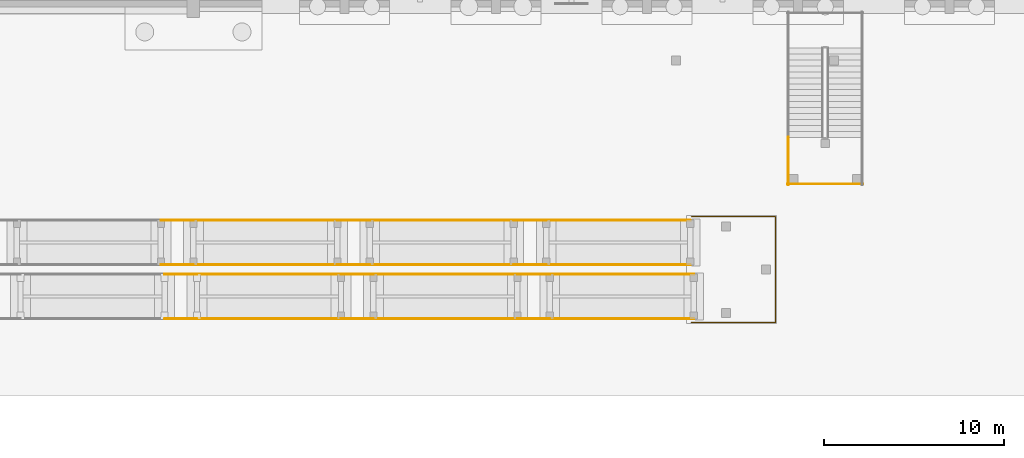
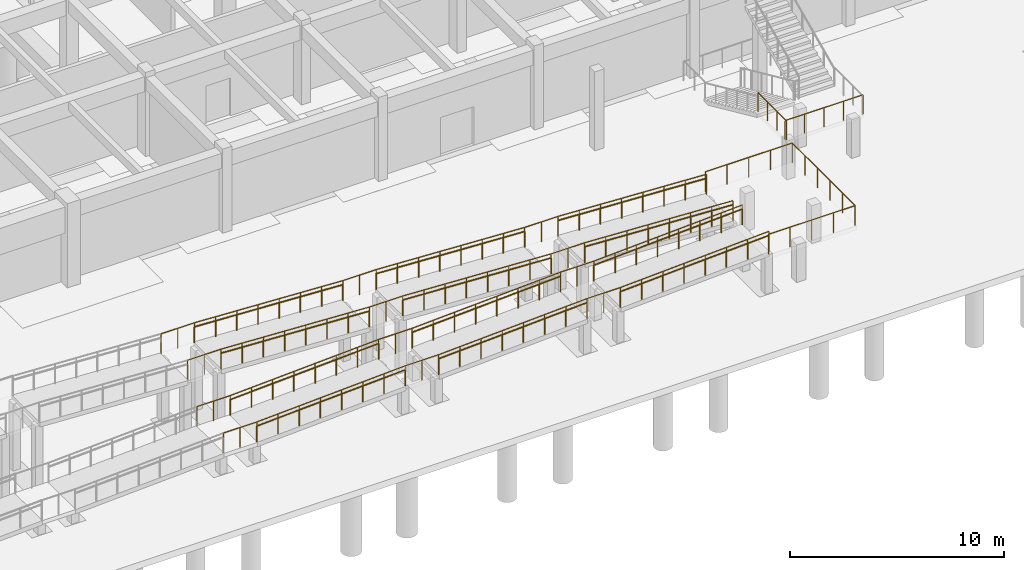
# One storey, part 71 of 80: 39 railings.
"""IFC4 building model written with IfcOpenShell, lengths in metres."""

from ifc_helpers import new_model, si_unit, direction, frame, origin, origin_2d, place, context, subcontext, project, spatial, circle, extrude, material, layer, layer_set, type_object, element, save


model = new_model("IFC4")

# Units and contexts
model_context = context("Model", 3, precision=1e-05, world=origin(), true_north=direction((0.0, 1.0)))
body_context = subcontext(model_context, "Body", "Model", "MODEL_VIEW")
ifc_project = project(units=[si_unit("LENGTHUNIT", "METRE"), si_unit("AREAUNIT", "SQUARE_METRE"), si_unit("VOLUMEUNIT", "CUBIC_METRE"), si_unit("PLANEANGLEUNIT", "RADIAN"), si_unit("MASSUNIT", "GRAM", prefix="KILO")], contexts=[model_context])

# Site, building, storey
site_placement = place(None, origin())
site = spatial("IfcSite", under=ifc_project, at=site_placement, CompositionType="ELEMENT")
building_placement = place(site_placement, origin())
building = spatial("IfcBuilding", under=site, at=building_placement, Name="Malvenik Polytechnic", CompositionType="ELEMENT")
storey_placement = place(building_placement, frame((0.0, 0.0, -4.800048828125)))
storey = spatial("IfcBuildingStorey", under=building, at=storey_placement, Name="B1", CompositionType="ELEMENT", Elevation=-4.800048828125)

# Railings
ifc_material_1 = material(Name="Galvanised powder-coated steel and laminated glass guard 1150mm", Category="steel")
ifc_layer_1 = layer(ifc_material_1, 0.070068359375)
ifc_layer_set_1 = layer_set([ifc_layer_1], Name="Galvanised powder-coated steel and laminated glass guard 1150mm")
railing_type_1 = type_object("IfcRailingType", Name="ARC-RL-BAL-1150", PredefinedType="BALUSTRADE", material=ifc_layer_set_1)
for number, where, name in (
    (1, (65.60009765625, 4.260009765625, 1.199951171875), "Ramp Landing Balustrade RB-04 #3S"),
    (2, (65.60009765625, 6.739990234375, 1.199951171875), "Ramp Landing Balustrade RB-04 #3N"),
):
    element("IfcRailing", number, at=place(storey_placement, frame(where)), inside=storey, type_object=railing_type_1, Name=name, PredefinedType="BALUSTRADE", context=body_context, shape_type="SweptSolid", body=[
        extrude(circle(Radius=0.02392578125, at=origin_2d()), frame((0.0, 0.0, 1.1259765625), z_axis=(1.0, 0.0, 0.0), x_axis=(0.0, 1.0, 0.0)), (0.0, 0.0, 1.0), 1.7998046875),
        extrude(circle(Radius=0.02099609375, at=origin_2d()), origin(), (0.0, 0.0, 1.0), 1.101806640625),
        extrude(circle(Radius=0.02099609375, at=origin_2d()), frame((0.89990234375, 0.0, 0.0)), (0.0, 0.0, 1.0), 1.101806640625),
        extrude(circle(Radius=0.02099609375, at=origin_2d()), frame((1.7998046875, 0.0, 0.0)), (0.0, 0.0, 1.0), 1.101806640625),
    ])
for number, where, name in (
    (3, (67.39990234375, 4.260009765625, 1.199951171875), "Ramp Balustrade RB-04 #4S"),
    (4, (67.39990234375, 6.739990234375, 1.199951171875), "Ramp Balustrade RB-04 #4N"),
):
    element("IfcRailing", number, at=place(storey_placement, frame(where)), inside=storey, type_object=railing_type_1, Name=name, PredefinedType="BALUSTRADE", context=body_context, shape_type="SweptSolid", body=[
        extrude(circle(Radius=0.02392578125, at=origin_2d()), frame((0.0, 0.0, 1.1259765625), z_axis=(0.998751426607, 0.0, 0.049955859015), x_axis=(0.0, 1.0, 0.0)), (0.0, 0.0, 1.0), 8.010009765625),
        extrude(circle(Radius=0.02099609375, at=origin_2d()), origin(), (0.0, 0.0, 1.0), 1.101806640625),
        extrude(circle(Radius=0.02099609375, at=origin_2d()), frame((1.142822265625, 0.0, 0.05712890625)), (0.0, 0.0, 1.0), 1.101806640625),
        extrude(circle(Radius=0.02099609375, at=origin_2d()), frame((2.28564453125, 0.0, 0.1142578125)), (0.0, 0.0, 1.0), 1.101806640625),
        extrude(circle(Radius=0.02099609375, at=origin_2d()), frame((3.428466796875, 0.0, 0.17138671875)), (0.0, 0.0, 1.0), 1.101806640625),
        extrude(circle(Radius=0.02099609375, at=origin_2d()), frame((4.571533203125, 0.0, 0.228759765625)), (0.0, 0.0, 1.0), 1.101806640625),
        extrude(circle(Radius=0.02099609375, at=origin_2d()), frame((5.71435546875, 0.0, 0.285888671875)), (0.0, 0.0, 1.0), 1.101806640625),
        extrude(circle(Radius=0.02099609375, at=origin_2d()), frame((6.857177734375, 0.0, 0.343017578125)), (0.0, 0.0, 1.0), 1.101806640625),
        extrude(circle(Radius=0.02099609375, at=origin_2d()), frame((8.0, 0.0, 0.400146484375)), (0.0, 0.0, 1.0), 1.101806640625),
    ])
for number, where, name in (
    (5, (75.39990234375, 4.260009765625, 1.60009765625), "Ramp Landing Balustrade RB-04 #4S"),
    (6, (75.39990234375, 6.739990234375, 1.60009765625), "Ramp Landing Balustrade RB-04 #4N"),
):
    element("IfcRailing", number, at=place(storey_placement, frame(where)), inside=storey, type_object=railing_type_1, Name=name, PredefinedType="BALUSTRADE", context=body_context, shape_type="SweptSolid", body=[
        extrude(circle(Radius=0.02392578125, at=origin_2d()), frame((0.0, 0.0, 1.1259765625), z_axis=(1.0, 0.0, 0.0), x_axis=(0.0, 1.0, 0.0)), (0.0, 0.0, 1.0), 1.800048828125),
        extrude(circle(Radius=0.02099609375, at=origin_2d()), origin(), (0.0, 0.0, 1.0), 1.101806640625),
        extrude(circle(Radius=0.02099609375, at=origin_2d()), frame((0.89990234375, 0.0, 0.0)), (0.0, 0.0, 1.0), 1.101806640625),
        extrude(circle(Radius=0.02099609375, at=origin_2d()), frame((1.800048828125, 0.0, 0.0)), (0.0, 0.0, 1.0), 1.101806640625),
    ])
for number, where, name in (
    (7, (77.199951171875, 4.260009765625, 1.60009765625), "Ramp Balustrade RB-04 #5S"),
    (8, (77.199951171875, 6.739990234375, 1.60009765625), "Ramp Balustrade RB-04 #5N"),
):
    element("IfcRailing", number, at=place(storey_placement, frame(where)), inside=storey, type_object=railing_type_1, Name=name, PredefinedType="BALUSTRADE", context=body_context, shape_type="SweptSolid", body=[
        extrude(circle(Radius=0.02392578125, at=origin_2d()), frame((0.0, 0.0, 1.1259765625), z_axis=(0.998752946874, 0.0, 0.049925455535), x_axis=(0.0, 1.0, 0.0)), (0.0, 0.0, 1.0), 8.010009765625),
        extrude(circle(Radius=0.02099609375, at=origin_2d()), origin(), (0.0, 0.0, 1.0), 1.101806640625),
        extrude(circle(Radius=0.02099609375, at=origin_2d()), frame((1.142822265625, 0.0, 0.05712890625)), (0.0, 0.0, 1.0), 1.101806640625),
        extrude(circle(Radius=0.02099609375, at=origin_2d()), frame((2.28564453125, 0.0, 0.1142578125)), (0.0, 0.0, 1.0), 1.101806640625),
        extrude(circle(Radius=0.02099609375, at=origin_2d()), frame((3.428466796875, 0.0, 0.17138671875)), (0.0, 0.0, 1.0), 1.101806640625),
        extrude(circle(Radius=0.02099609375, at=origin_2d()), frame((4.571533203125, 0.0, 0.228515625)), (0.0, 0.0, 1.0), 1.101806640625),
        extrude(circle(Radius=0.02099609375, at=origin_2d()), frame((5.71435546875, 0.0, 0.28564453125)), (0.0, 0.0, 1.0), 1.101806640625),
        extrude(circle(Radius=0.02099609375, at=origin_2d()), frame((6.857177734375, 0.0, 0.3427734375)), (0.0, 0.0, 1.0), 1.101806640625),
        extrude(circle(Radius=0.02099609375, at=origin_2d()), frame((8.0, 0.0, 0.39990234375)), (0.0, 0.0, 1.0), 1.101806640625),
    ])
for number, where, name in (
    (9, (85.199951171875, 4.260009765625, 2.0), "Ramp Landing Balustrade RB-04 #5S"),
    (10, (85.199951171875, 6.739990234375, 2.0), "Ramp Landing Balustrade RB-04 #5N"),
):
    element("IfcRailing", number, at=place(storey_placement, frame(where)), inside=storey, type_object=railing_type_1, Name=name, PredefinedType="BALUSTRADE", context=body_context, shape_type="SweptSolid", body=[
        extrude(circle(Radius=0.02392578125, at=origin_2d()), frame((0.0, 0.0, 1.1259765625), z_axis=(1.0, 0.0, 0.0), x_axis=(0.0, 1.0, 0.0)), (0.0, 0.0, 1.0), 1.800048828125),
        extrude(circle(Radius=0.02099609375, at=origin_2d()), origin(), (0.0, 0.0, 1.0), 1.101806640625),
        extrude(circle(Radius=0.02099609375, at=origin_2d()), frame((0.89990234375, 0.0, 0.0)), (0.0, 0.0, 1.0), 1.101806640625),
        extrude(circle(Radius=0.02099609375, at=origin_2d()), frame((1.800048828125, 0.0, 0.0)), (0.0, 0.0, 1.0), 1.101806640625),
    ])
for number, where, name in (
    (11, (87.0, 4.260009765625, 2.0), "Ramp Balustrade RB-04 #6S"),
    (12, (87.0, 6.739990234375, 2.0), "Ramp Balustrade RB-04 #6N"),
):
    element("IfcRailing", number, at=place(storey_placement, frame(where)), inside=storey, type_object=railing_type_1, Name=name, PredefinedType="BALUSTRADE", context=body_context, shape_type="SweptSolid", body=[
        extrude(circle(Radius=0.02392578125, at=origin_2d()), frame((0.0, 0.0, 1.1259765625), z_axis=(0.998751426607, 0.0, 0.049955859015), x_axis=(0.0, 1.0, 0.0)), (0.0, 0.0, 1.0), 8.010009765625),
        extrude(circle(Radius=0.02099609375, at=origin_2d()), origin(), (0.0, 0.0, 1.0), 1.101806640625),
        extrude(circle(Radius=0.02099609375, at=origin_2d()), frame((1.142822265625, 0.0, 0.05712890625)), (0.0, 0.0, 1.0), 1.101806640625),
        extrude(circle(Radius=0.02099609375, at=origin_2d()), frame((2.28564453125, 0.0, 0.1142578125)), (0.0, 0.0, 1.0), 1.101806640625),
        extrude(circle(Radius=0.02099609375, at=origin_2d()), frame((3.428466796875, 0.0, 0.17138671875)), (0.0, 0.0, 1.0), 1.101806640625),
        extrude(circle(Radius=0.02099609375, at=origin_2d()), frame((4.571533203125, 0.0, 0.228759765625)), (0.0, 0.0, 1.0), 1.101806640625),
        extrude(circle(Radius=0.02099609375, at=origin_2d()), frame((5.71435546875, 0.0, 0.285888671875)), (0.0, 0.0, 1.0), 1.101806640625),
        extrude(circle(Radius=0.02099609375, at=origin_2d()), frame((6.857177734375, 0.0, 0.343017578125)), (0.0, 0.0, 1.0), 1.101806640625),
        extrude(circle(Radius=0.02099609375, at=origin_2d()), frame((8.0, 0.0, 0.400146484375)), (0.0, 0.0, 1.0), 1.101806640625),
    ])
for number, where, name in (
    (13, (86.800048828125, 7.260009765625, 2.800048828125), "Ramp Balustrade RB-05 #1S"),
    (14, (86.800048828125, 9.739990234375, 2.800048828125), "Ramp Balustrade RB-05 #1N"),
):
    element("IfcRailing", number, at=place(storey_placement, frame(where)), inside=storey, type_object=railing_type_1, Name=name, PredefinedType="BALUSTRADE", context=body_context, shape_type="SweptSolid", body=[
        extrude(circle(Radius=0.02392578125, at=origin_2d()), frame((0.0, 0.0, 1.1259765625), z_axis=(0.998752946874, 0.0, -0.049925455535), x_axis=(0.0, 1.0, 0.0)), (0.0, 0.0, 1.0), 8.010009765625),
        extrude(circle(Radius=0.02099609375, at=origin_2d()), origin(), (0.0, 0.0, 1.0), 1.101806640625),
        extrude(circle(Radius=0.02099609375, at=origin_2d()), frame((1.142822265625, 0.0, -0.05712890625)), (0.0, 0.0, 1.0), 1.101806640625),
        extrude(circle(Radius=0.02099609375, at=origin_2d()), frame((2.28564453125, 0.0, -0.1142578125)), (0.0, 0.0, 1.0), 1.101806640625),
        extrude(circle(Radius=0.02099609375, at=origin_2d()), frame((3.428466796875, 0.0, -0.17138671875)), (0.0, 0.0, 1.0), 1.101806640625),
        extrude(circle(Radius=0.02099609375, at=origin_2d()), frame((4.571533203125, 0.0, -0.228515625)), (0.0, 0.0, 1.0), 1.101806640625),
        extrude(circle(Radius=0.02099609375, at=origin_2d()), frame((5.71435546875, 0.0, -0.28564453125)), (0.0, 0.0, 1.0), 1.101806640625),
        extrude(circle(Radius=0.02099609375, at=origin_2d()), frame((6.857177734375, 0.0, -0.3427734375)), (0.0, 0.0, 1.0), 1.101806640625),
        extrude(circle(Radius=0.02099609375, at=origin_2d()), frame((8.0, 0.0, -0.39990234375)), (0.0, 0.0, 1.0), 1.101806640625),
    ])
for number, where, name in (
    (15, (85.0, 7.260009765625, 2.800048828125), "Ramp Landing Balustrade RB-05 #1S"),
    (16, (85.0, 9.739990234375, 2.800048828125), "Ramp Landing Balustrade RB-05 #1N"),
):
    element("IfcRailing", number, at=place(storey_placement, frame(where)), inside=storey, type_object=railing_type_1, Name=name, PredefinedType="BALUSTRADE", context=body_context, shape_type="SweptSolid", body=[
        extrude(circle(Radius=0.02392578125, at=origin_2d()), frame((0.0, 0.0, 1.1259765625), z_axis=(1.0, 0.0, 0.0), x_axis=(0.0, 1.0, 0.0)), (0.0, 0.0, 1.0), 1.800048828125),
        extrude(circle(Radius=0.02099609375, at=origin_2d()), origin(), (0.0, 0.0, 1.0), 1.101806640625),
        extrude(circle(Radius=0.02099609375, at=origin_2d()), frame((0.89990234375, 0.0, 0.0)), (0.0, 0.0, 1.0), 1.101806640625),
        extrude(circle(Radius=0.02099609375, at=origin_2d()), frame((1.800048828125, 0.0, 0.0)), (0.0, 0.0, 1.0), 1.101806640625),
    ])
for number, where, name in (
    (17, (77.0, 7.260009765625, 3.199951171875), "Ramp Balustrade RB-05 #2S"),
    (18, (77.0, 9.739990234375, 3.199951171875), "Ramp Balustrade RB-05 #2N"),
):
    element("IfcRailing", number, at=place(storey_placement, frame(where)), inside=storey, type_object=railing_type_1, Name=name, PredefinedType="BALUSTRADE", context=body_context, shape_type="SweptSolid", body=[
        extrude(circle(Radius=0.02392578125, at=origin_2d()), frame((0.0, 0.0, 1.1259765625), z_axis=(0.998752946874, 0.0, -0.049925455535), x_axis=(0.0, 1.0, 0.0)), (0.0, 0.0, 1.0), 8.010009765625),
        extrude(circle(Radius=0.02099609375, at=origin_2d()), origin(), (0.0, 0.0, 1.0), 1.101806640625),
        extrude(circle(Radius=0.02099609375, at=origin_2d()), frame((1.142822265625, 0.0, -0.05712890625)), (0.0, 0.0, 1.0), 1.101806640625),
        extrude(circle(Radius=0.02099609375, at=origin_2d()), frame((2.28564453125, 0.0, -0.1142578125)), (0.0, 0.0, 1.0), 1.101806640625),
        extrude(circle(Radius=0.02099609375, at=origin_2d()), frame((3.428466796875, 0.0, -0.17138671875)), (0.0, 0.0, 1.0), 1.101806640625),
        extrude(circle(Radius=0.02099609375, at=origin_2d()), frame((4.571533203125, 0.0, -0.228515625)), (0.0, 0.0, 1.0), 1.101806640625),
        extrude(circle(Radius=0.02099609375, at=origin_2d()), frame((5.71435546875, 0.0, -0.28564453125)), (0.0, 0.0, 1.0), 1.101806640625),
        extrude(circle(Radius=0.02099609375, at=origin_2d()), frame((6.857177734375, 0.0, -0.3427734375)), (0.0, 0.0, 1.0), 1.101806640625),
        extrude(circle(Radius=0.02099609375, at=origin_2d()), frame((8.0, 0.0, -0.39990234375)), (0.0, 0.0, 1.0), 1.101806640625),
    ])
for number, where, name in (
    (19, (75.199951171875, 7.260009765625, 3.199951171875), "Ramp Landing Balustrade RB-05 #2S"),
    (20, (75.199951171875, 9.739990234375, 3.199951171875), "Ramp Landing Balustrade RB-05 #2N"),
):
    element("IfcRailing", number, at=place(storey_placement, frame(where)), inside=storey, type_object=railing_type_1, Name=name, PredefinedType="BALUSTRADE", context=body_context, shape_type="SweptSolid", body=[
        extrude(circle(Radius=0.02392578125, at=origin_2d()), frame((0.0, 0.0, 1.1259765625), z_axis=(1.0, 0.0, 0.0), x_axis=(0.0, 1.0, 0.0)), (0.0, 0.0, 1.0), 1.800048828125),
        extrude(circle(Radius=0.02099609375, at=origin_2d()), origin(), (0.0, 0.0, 1.0), 1.101806640625),
        extrude(circle(Radius=0.02099609375, at=origin_2d()), frame((0.89990234375, 0.0, 0.0)), (0.0, 0.0, 1.0), 1.101806640625),
        extrude(circle(Radius=0.02099609375, at=origin_2d()), frame((1.800048828125, 0.0, 0.0)), (0.0, 0.0, 1.0), 1.101806640625),
    ])
for number, where, name in (
    (21, (67.199951171875, 7.260009765625, 3.60009765625), "Ramp Balustrade RB-05 #3S"),
    (22, (67.199951171875, 9.739990234375, 3.60009765625), "Ramp Balustrade RB-05 #3N"),
):
    element("IfcRailing", number, at=place(storey_placement, frame(where)), inside=storey, type_object=railing_type_1, Name=name, PredefinedType="BALUSTRADE", context=body_context, shape_type="SweptSolid", body=[
        extrude(circle(Radius=0.02392578125, at=origin_2d()), frame((0.0, 0.0, 1.1259765625), z_axis=(0.998751426607, 0.0, -0.049955859015), x_axis=(0.0, 1.0, 0.0)), (0.0, 0.0, 1.0), 8.010009765625),
        extrude(circle(Radius=0.02099609375, at=origin_2d()), origin(), (0.0, 0.0, 1.0), 1.101806640625),
        extrude(circle(Radius=0.02099609375, at=origin_2d()), frame((1.142822265625, 0.0, -0.05712890625)), (0.0, 0.0, 1.0), 1.101806640625),
        extrude(circle(Radius=0.02099609375, at=origin_2d()), frame((2.28564453125, 0.0, -0.1142578125)), (0.0, 0.0, 1.0), 1.101806640625),
        extrude(circle(Radius=0.02099609375, at=origin_2d()), frame((3.428466796875, 0.0, -0.17138671875)), (0.0, 0.0, 1.0), 1.101806640625),
        extrude(circle(Radius=0.02099609375, at=origin_2d()), frame((4.571533203125, 0.0, -0.228759765625)), (0.0, 0.0, 1.0), 1.101806640625),
        extrude(circle(Radius=0.02099609375, at=origin_2d()), frame((5.71435546875, 0.0, -0.285888671875)), (0.0, 0.0, 1.0), 1.101806640625),
        extrude(circle(Radius=0.02099609375, at=origin_2d()), frame((6.857177734375, 0.0, -0.343017578125)), (0.0, 0.0, 1.0), 1.101806640625),
        extrude(circle(Radius=0.02099609375, at=origin_2d()), frame((8.0, 0.0, -0.400146484375)), (0.0, 0.0, 1.0), 1.101806640625),
    ])
for number, where, name in (
    (23, (65.39990234375, 7.260009765625, 3.60009765625), "Ramp Landing Balustrade RB-05 #3S"),
    (24, (65.39990234375, 9.739990234375, 3.60009765625), "Ramp Landing Balustrade RB-05 #3N"),
):
    element("IfcRailing", number, at=place(storey_placement, frame(where)), inside=storey, type_object=railing_type_1, Name=name, PredefinedType="BALUSTRADE", context=body_context, shape_type="SweptSolid", body=[
        extrude(circle(Radius=0.02392578125, at=origin_2d()), frame((0.0, 0.0, 1.1259765625), z_axis=(1.0, 0.0, 0.0), x_axis=(0.0, 1.0, 0.0)), (0.0, 0.0, 1.0), 1.800048828125),
        extrude(circle(Radius=0.02099609375, at=origin_2d()), origin(), (0.0, 0.0, 1.0), 1.101806640625),
        extrude(circle(Radius=0.02099609375, at=origin_2d()), frame((0.89990234375, 0.0, 0.0)), (0.0, 0.0, 1.0), 1.101806640625),
        extrude(circle(Radius=0.02099609375, at=origin_2d()), frame((1.800048828125, 0.0, 0.0)), (0.0, 0.0, 1.0), 1.101806640625),
    ])
railing_1_placement = place(storey_placement, frame((94.860107421875, 4.06005859375, 2.400146484375)))
element("IfcRailing", 25, at=railing_1_placement, inside=storey, type_object=railing_type_1, Name="Forecourt Ramp Turn Platform Guard", PredefinedType="BALUSTRADE", context=body_context, shape_type="SweptSolid", body=[
    extrude(circle(Radius=0.02392578125, at=origin_2d()), frame((0.0, 0.0, 1.1259765625), z_axis=(1.0, 0.0, 0.0), x_axis=(0.0, 1.0, 0.0)), (0.0, 0.0, 1.0), 4.679931640625),
    extrude(circle(Radius=0.02392578125, at=origin_2d()), frame((4.679931640625, 0.0, 1.1259765625), z_axis=(0.0, 1.0, 0.0), x_axis=(-1.0, 0.0, 0.0)), (0.0, 0.0, 1.0), 5.8798828125),
    extrude(circle(Radius=0.02392578125, at=origin_2d()), frame((4.679931640625, 5.8798828125, 1.1259765625), z_axis=(-1.0, 0.0, 0.0), x_axis=(0.0, -1.0, 0.0)), (0.0, 0.0, 1.0), 4.679931640625),
    extrude(circle(Radius=0.02099609375, at=origin_2d()), origin(), (0.0, 0.0, 1.0), 1.101806640625),
    extrude(circle(Radius=0.02099609375, at=origin_2d()), frame((1.169921875, 0.0, 0.0)), (0.0, 0.0, 1.0), 1.101806640625),
    extrude(circle(Radius=0.02099609375, at=origin_2d()), frame((2.33984375, 0.0, 0.0)), (0.0, 0.0, 1.0), 1.101806640625),
    extrude(circle(Radius=0.02099609375, at=origin_2d()), frame((3.510009765625, 0.0, 0.0)), (0.0, 0.0, 1.0), 1.101806640625),
    extrude(circle(Radius=0.02099609375, at=origin_2d()), frame((4.679931640625, 0.0, 0.0)), (0.0, 0.0, 1.0), 1.101806640625),
    extrude(circle(Radius=0.02099609375, at=origin_2d()), frame((4.679931640625, 1.176025390625, 0.0)), (0.0, 0.0, 1.0), 1.101806640625),
    extrude(circle(Radius=0.02099609375, at=origin_2d()), frame((4.679931640625, 2.35205078125, 0.0)), (0.0, 0.0, 1.0), 1.101806640625),
    extrude(circle(Radius=0.02099609375, at=origin_2d()), frame((4.679931640625, 3.52783203125, 0.0)), (0.0, 0.0, 1.0), 1.101806640625),
    extrude(circle(Radius=0.02099609375, at=origin_2d()), frame((4.679931640625, 4.703857421875, 0.0)), (0.0, 0.0, 1.0), 1.101806640625),
    extrude(circle(Radius=0.02099609375, at=origin_2d()), frame((4.679931640625, 5.8798828125, 0.0)), (0.0, 0.0, 1.0), 1.101806640625),
    extrude(circle(Radius=0.02099609375, at=origin_2d()), frame((3.510009765625, 5.8798828125, 0.0)), (0.0, 0.0, 1.0), 1.101806640625),
    extrude(circle(Radius=0.02099609375, at=origin_2d()), frame((2.33984375, 5.8798828125, 0.0)), (0.0, 0.0, 1.0), 1.101806640625),
    extrude(circle(Radius=0.02099609375, at=origin_2d()), frame((1.169921875, 5.8798828125, 0.0)), (0.0, 0.0, 1.0), 1.101806640625),
    extrude(circle(Radius=0.02099609375, at=origin_2d()), frame((0.0, 5.8798828125, 0.0)), (0.0, 0.0, 1.0), 1.101806640625),
])
ifc_material_2 = material(Name="Brushed stainless steel 1.4301 tubular handrail 50mm", Category="steel")
ifc_layer_2 = layer(ifc_material_2, 0.050048828125)
ifc_layer_set_2 = layer_set([ifc_layer_2], Name="Brushed stainless steel 1.4301 tubular handrail 50mm")
railing_type_2 = type_object("IfcRailingType", Name="ARC-RL-HR-920", PredefinedType="HANDRAIL", material=ifc_layer_set_2)
for number, where, name in (
    (26, (67.39990234375, 4.260009765625, 1.199951171875), "Ramp Handrail RB-04 #4S"),
    (27, (67.39990234375, 6.739990234375, 1.199951171875), "Ramp Handrail RB-04 #4N"),
):
    element("IfcRailing", number, at=place(storey_placement, frame(where)), inside=storey, type_object=railing_type_2, Name=name, PredefinedType="HANDRAIL", context=body_context, shape_type="SweptSolid", body=[
        extrude(circle(Radius=0.02392578125, at=origin_2d()), frame((0.0, 0.0, 0.89599609375), z_axis=(0.998751426607, 0.0, 0.049955859015), x_axis=(0.0, 1.0, 0.0)), (0.0, 0.0, 1.0), 8.010009765625),
        extrude(circle(Radius=0.02099609375, at=origin_2d()), origin(), (0.0, 0.0, 1.0), 0.871826171875),
        extrude(circle(Radius=0.02099609375, at=origin_2d()), frame((1.142822265625, 0.0, 0.05712890625)), (0.0, 0.0, 1.0), 0.871826171875),
        extrude(circle(Radius=0.02099609375, at=origin_2d()), frame((2.28564453125, 0.0, 0.1142578125)), (0.0, 0.0, 1.0), 0.871826171875),
        extrude(circle(Radius=0.02099609375, at=origin_2d()), frame((3.428466796875, 0.0, 0.17138671875)), (0.0, 0.0, 1.0), 0.871826171875),
        extrude(circle(Radius=0.02099609375, at=origin_2d()), frame((4.571533203125, 0.0, 0.228759765625)), (0.0, 0.0, 1.0), 0.871826171875),
        extrude(circle(Radius=0.02099609375, at=origin_2d()), frame((5.71435546875, 0.0, 0.285888671875)), (0.0, 0.0, 1.0), 0.871826171875),
        extrude(circle(Radius=0.02099609375, at=origin_2d()), frame((6.857177734375, 0.0, 0.343017578125)), (0.0, 0.0, 1.0), 0.871826171875),
        extrude(circle(Radius=0.02099609375, at=origin_2d()), frame((8.0, 0.0, 0.400146484375)), (0.0, 0.0, 1.0), 0.871826171875),
    ])
for number, where, name in (
    (28, (77.199951171875, 4.260009765625, 1.60009765625), "Ramp Handrail RB-04 #5S"),
    (29, (77.199951171875, 6.739990234375, 1.60009765625), "Ramp Handrail RB-04 #5N"),
):
    element("IfcRailing", number, at=place(storey_placement, frame(where)), inside=storey, type_object=railing_type_2, Name=name, PredefinedType="HANDRAIL", context=body_context, shape_type="SweptSolid", body=[
        extrude(circle(Radius=0.02392578125, at=origin_2d()), frame((0.0, 0.0, 0.89599609375), z_axis=(0.998752946874, 0.0, 0.049925455535), x_axis=(0.0, 1.0, 0.0)), (0.0, 0.0, 1.0), 8.010009765625),
        extrude(circle(Radius=0.02099609375, at=origin_2d()), origin(), (0.0, 0.0, 1.0), 0.871826171875),
        extrude(circle(Radius=0.02099609375, at=origin_2d()), frame((1.142822265625, 0.0, 0.05712890625)), (0.0, 0.0, 1.0), 0.871826171875),
        extrude(circle(Radius=0.02099609375, at=origin_2d()), frame((2.28564453125, 0.0, 0.1142578125)), (0.0, 0.0, 1.0), 0.871826171875),
        extrude(circle(Radius=0.02099609375, at=origin_2d()), frame((3.428466796875, 0.0, 0.17138671875)), (0.0, 0.0, 1.0), 0.871826171875),
        extrude(circle(Radius=0.02099609375, at=origin_2d()), frame((4.571533203125, 0.0, 0.228515625)), (0.0, 0.0, 1.0), 0.871826171875),
        extrude(circle(Radius=0.02099609375, at=origin_2d()), frame((5.71435546875, 0.0, 0.28564453125)), (0.0, 0.0, 1.0), 0.871826171875),
        extrude(circle(Radius=0.02099609375, at=origin_2d()), frame((6.857177734375, 0.0, 0.3427734375)), (0.0, 0.0, 1.0), 0.871826171875),
        extrude(circle(Radius=0.02099609375, at=origin_2d()), frame((8.0, 0.0, 0.39990234375)), (0.0, 0.0, 1.0), 0.871826171875),
    ])
for number, where, name in (
    (30, (87.0, 4.260009765625, 2.0), "Ramp Handrail RB-04 #6S"),
    (31, (87.0, 6.739990234375, 2.0), "Ramp Handrail RB-04 #6N"),
):
    element("IfcRailing", number, at=place(storey_placement, frame(where)), inside=storey, type_object=railing_type_2, Name=name, PredefinedType="HANDRAIL", context=body_context, shape_type="SweptSolid", body=[
        extrude(circle(Radius=0.02392578125, at=origin_2d()), frame((0.0, 0.0, 0.89599609375), z_axis=(0.998751426607, 0.0, 0.049955859015), x_axis=(0.0, 1.0, 0.0)), (0.0, 0.0, 1.0), 8.010009765625),
        extrude(circle(Radius=0.02099609375, at=origin_2d()), origin(), (0.0, 0.0, 1.0), 0.871826171875),
        extrude(circle(Radius=0.02099609375, at=origin_2d()), frame((1.142822265625, 0.0, 0.05712890625)), (0.0, 0.0, 1.0), 0.871826171875),
        extrude(circle(Radius=0.02099609375, at=origin_2d()), frame((2.28564453125, 0.0, 0.1142578125)), (0.0, 0.0, 1.0), 0.871826171875),
        extrude(circle(Radius=0.02099609375, at=origin_2d()), frame((3.428466796875, 0.0, 0.17138671875)), (0.0, 0.0, 1.0), 0.871826171875),
        extrude(circle(Radius=0.02099609375, at=origin_2d()), frame((4.571533203125, 0.0, 0.228759765625)), (0.0, 0.0, 1.0), 0.871826171875),
        extrude(circle(Radius=0.02099609375, at=origin_2d()), frame((5.71435546875, 0.0, 0.285888671875)), (0.0, 0.0, 1.0), 0.871826171875),
        extrude(circle(Radius=0.02099609375, at=origin_2d()), frame((6.857177734375, 0.0, 0.343017578125)), (0.0, 0.0, 1.0), 0.871826171875),
        extrude(circle(Radius=0.02099609375, at=origin_2d()), frame((8.0, 0.0, 0.400146484375)), (0.0, 0.0, 1.0), 0.871826171875),
    ])
for number, where, name in (
    (32, (86.800048828125, 7.260009765625, 2.800048828125), "Ramp Handrail RB-05 #1S"),
    (33, (86.800048828125, 9.739990234375, 2.800048828125), "Ramp Handrail RB-05 #1N"),
    (34, (77.0, 7.260009765625, 3.199951171875), "Ramp Handrail RB-05 #2S"),
    (35, (77.0, 9.739990234375, 3.199951171875), "Ramp Handrail RB-05 #2N"),
):
    element("IfcRailing", number, at=place(storey_placement, frame(where)), inside=storey, type_object=railing_type_2, Name=name, PredefinedType="HANDRAIL", context=body_context, shape_type="SweptSolid", body=[
        extrude(circle(Radius=0.02392578125, at=origin_2d()), frame((0.0, 0.0, 0.89599609375), z_axis=(0.998752946874, 0.0, -0.049925455535), x_axis=(0.0, 1.0, 0.0)), (0.0, 0.0, 1.0), 8.010009765625),
        extrude(circle(Radius=0.02099609375, at=origin_2d()), origin(), (0.0, 0.0, 1.0), 0.871826171875),
        extrude(circle(Radius=0.02099609375, at=origin_2d()), frame((1.142822265625, 0.0, -0.05712890625)), (0.0, 0.0, 1.0), 0.871826171875),
        extrude(circle(Radius=0.02099609375, at=origin_2d()), frame((2.28564453125, 0.0, -0.1142578125)), (0.0, 0.0, 1.0), 0.871826171875),
        extrude(circle(Radius=0.02099609375, at=origin_2d()), frame((3.428466796875, 0.0, -0.17138671875)), (0.0, 0.0, 1.0), 0.871826171875),
        extrude(circle(Radius=0.02099609375, at=origin_2d()), frame((4.571533203125, 0.0, -0.228515625)), (0.0, 0.0, 1.0), 0.871826171875),
        extrude(circle(Radius=0.02099609375, at=origin_2d()), frame((5.71435546875, 0.0, -0.28564453125)), (0.0, 0.0, 1.0), 0.871826171875),
        extrude(circle(Radius=0.02099609375, at=origin_2d()), frame((6.857177734375, 0.0, -0.3427734375)), (0.0, 0.0, 1.0), 0.871826171875),
        extrude(circle(Radius=0.02099609375, at=origin_2d()), frame((8.0, 0.0, -0.39990234375)), (0.0, 0.0, 1.0), 0.871826171875),
    ])
for number, where, name in (
    (36, (67.199951171875, 7.260009765625, 3.60009765625), "Ramp Handrail RB-05 #3S"),
    (37, (67.199951171875, 9.739990234375, 3.60009765625), "Ramp Handrail RB-05 #3N"),
):
    element("IfcRailing", number, at=place(storey_placement, frame(where)), inside=storey, type_object=railing_type_2, Name=name, PredefinedType="HANDRAIL", context=body_context, shape_type="SweptSolid", body=[
        extrude(circle(Radius=0.02392578125, at=origin_2d()), frame((0.0, 0.0, 0.89599609375), z_axis=(0.998751426607, 0.0, -0.049955859015), x_axis=(0.0, 1.0, 0.0)), (0.0, 0.0, 1.0), 8.010009765625),
        extrude(circle(Radius=0.02099609375, at=origin_2d()), origin(), (0.0, 0.0, 1.0), 0.871826171875),
        extrude(circle(Radius=0.02099609375, at=origin_2d()), frame((1.142822265625, 0.0, -0.05712890625)), (0.0, 0.0, 1.0), 0.871826171875),
        extrude(circle(Radius=0.02099609375, at=origin_2d()), frame((2.28564453125, 0.0, -0.1142578125)), (0.0, 0.0, 1.0), 0.871826171875),
        extrude(circle(Radius=0.02099609375, at=origin_2d()), frame((3.428466796875, 0.0, -0.17138671875)), (0.0, 0.0, 1.0), 0.871826171875),
        extrude(circle(Radius=0.02099609375, at=origin_2d()), frame((4.571533203125, 0.0, -0.228759765625)), (0.0, 0.0, 1.0), 0.871826171875),
        extrude(circle(Radius=0.02099609375, at=origin_2d()), frame((5.71435546875, 0.0, -0.285888671875)), (0.0, 0.0, 1.0), 0.871826171875),
        extrude(circle(Radius=0.02099609375, at=origin_2d()), frame((6.857177734375, 0.0, -0.343017578125)), (0.0, 0.0, 1.0), 0.871826171875),
        extrude(circle(Radius=0.02099609375, at=origin_2d()), frame((8.0, 0.0, -0.400146484375)), (0.0, 0.0, 1.0), 0.871826171875),
    ])
ifc_material_3 = material(Name="Painted galvanised steel stair well balustrade 1100mm", Category="steel")
ifc_layer_3 = layer(ifc_material_3, 0.050048828125)
ifc_layer_set_3 = layer_set([ifc_layer_3], Name="Painted galvanised steel stair well balustrade 1100mm")
railing_type_3 = type_object("IfcRailingType", Name="ARC-RL-STGD", PredefinedType="BALUSTRADE", material=ifc_layer_set_3)
railing_2_placement = place(storey_placement, frame((100.25, 14.35009765625, 2.400146484375)))
element("IfcRailing", 38, at=railing_2_placement, inside=storey, type_object=railing_type_3, Name="B1 ST-11 stair guard 3", PredefinedType="BALUSTRADE", context=body_context, shape_type="SweptSolid", body=[
    extrude(circle(Radius=0.02392578125, at=origin_2d()), frame((0.0, 0.0, 1.076171875), z_axis=(0.0, -1.0, 0.0), x_axis=(1.0, 0.0, 0.0)), (0.0, 0.0, 1.0), 2.650146484375),
    extrude(circle(Radius=0.02099609375, at=origin_2d()), origin(), (0.0, 0.0, 1.0), 1.052001953125),
    extrude(circle(Radius=0.02099609375, at=origin_2d()), frame((0.0, -0.88330078125, 0.0)), (0.0, 0.0, 1.0), 1.052001953125),
    extrude(circle(Radius=0.02099609375, at=origin_2d()), frame((0.0, -1.766845703125, 0.0)), (0.0, 0.0, 1.0), 1.052001953125),
    extrude(circle(Radius=0.02099609375, at=origin_2d()), frame((0.0, -2.650146484375, 0.0)), (0.0, 0.0, 1.0), 1.052001953125),
])
railing_3_placement = place(storey_placement, frame((100.199951171875, 11.75, 2.400146484375)))
element("IfcRailing", 39, at=railing_3_placement, inside=storey, type_object=railing_type_3, Name="B1 ST-11 stair guard 5", PredefinedType="BALUSTRADE", context=body_context, shape_type="SweptSolid", body=[
    extrude(circle(Radius=0.02392578125, at=origin_2d()), frame((0.0, 0.0, 1.076171875), z_axis=(1.0, 0.0, 0.0), x_axis=(0.0, 1.0, 0.0)), (0.0, 0.0, 1.0), 4.199951171875),
    extrude(circle(Radius=0.02099609375, at=origin_2d()), origin(), (0.0, 0.0, 1.0), 1.052001953125),
    extrude(circle(Radius=0.02099609375, at=origin_2d()), frame((1.050048828125, 0.0, 0.0)), (0.0, 0.0, 1.0), 1.052001953125),
    extrude(circle(Radius=0.02099609375, at=origin_2d()), frame((2.10009765625, 0.0, 0.0)), (0.0, 0.0, 1.0), 1.052001953125),
    extrude(circle(Radius=0.02099609375, at=origin_2d()), frame((3.14990234375, 0.0, 0.0)), (0.0, 0.0, 1.0), 1.052001953125),
    extrude(circle(Radius=0.02099609375, at=origin_2d()), frame((4.199951171875, 0.0, 0.0)), (0.0, 0.0, 1.0), 1.052001953125),
])

save(model, "model.ifc")
